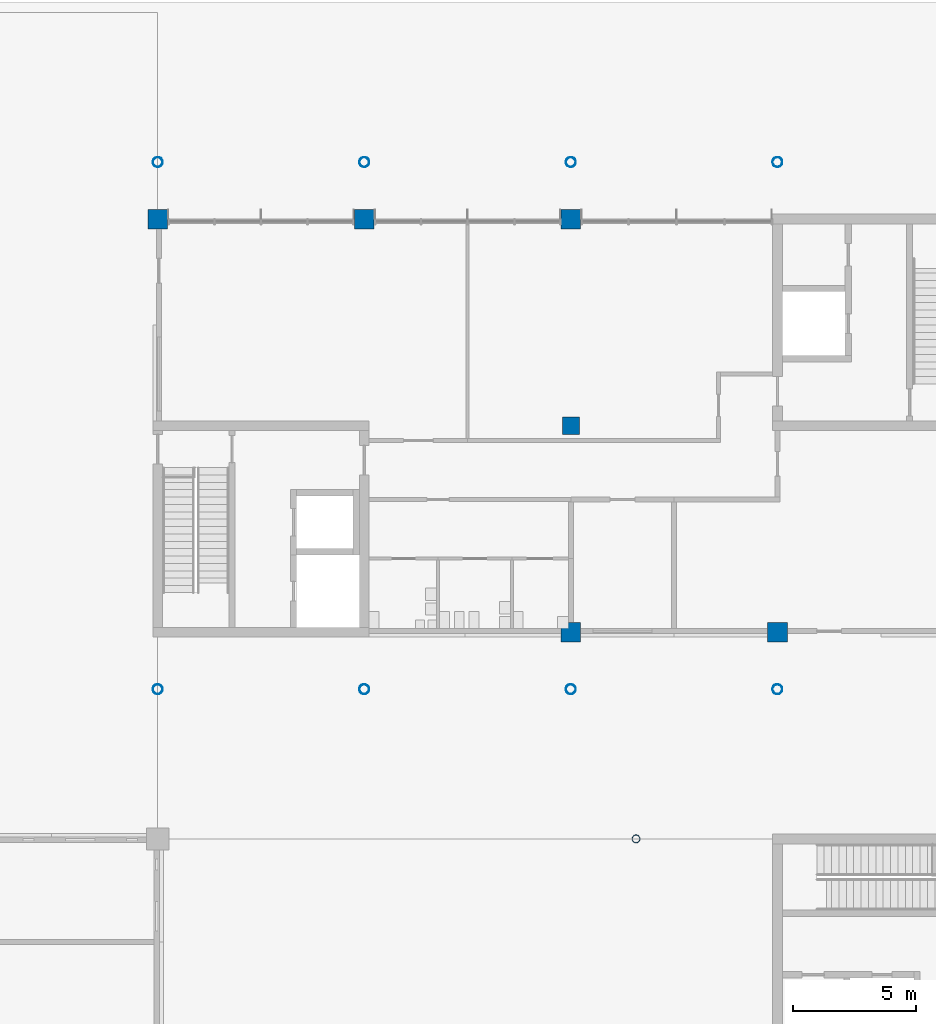
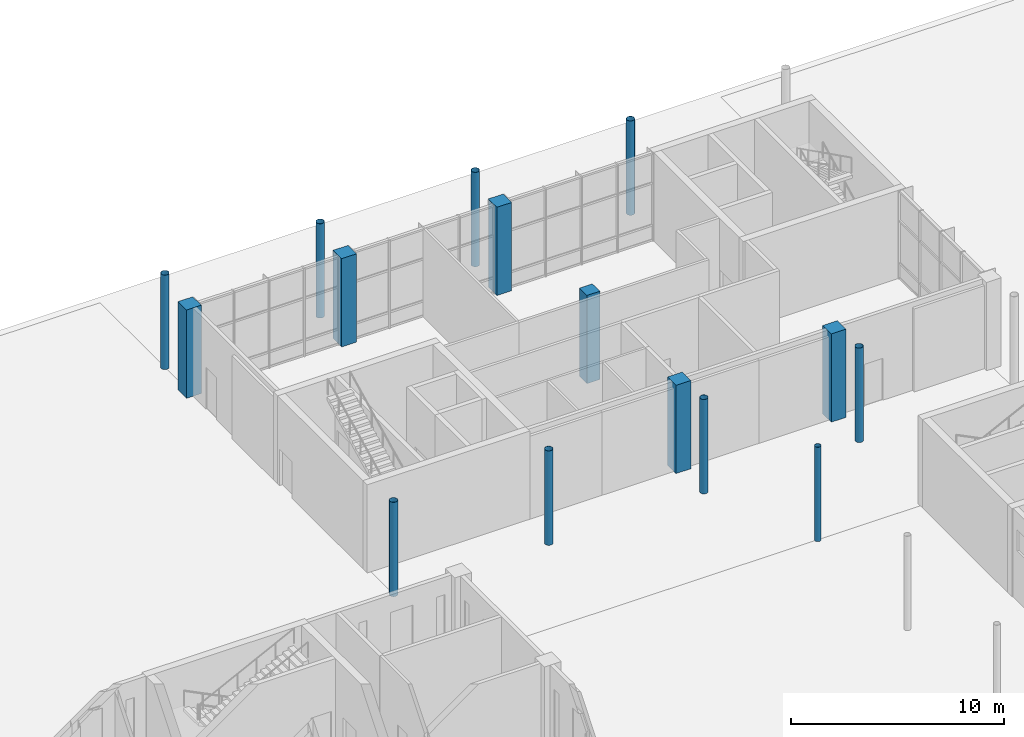
# One storey, part 9 of 76: 15 columns.
"""IFC4 building model written with IfcOpenShell, lengths in metres."""

from ifc_helpers import new_model, si_unit, direction, frame, origin, origin_2d, place, context, subcontext, project, spatial, rectangle, hollow_circle, extrude, material, material_profile, profile_set, type_object, element, save


model = new_model("IFC4")

# Units and contexts
model_context = context("Model", 3, precision=1e-05, world=origin(), true_north=direction((0.0, 1.0)))
body_context = subcontext(model_context, "Body", "Model", "MODEL_VIEW")
ifc_project = project(units=[si_unit("LENGTHUNIT", "METRE"), si_unit("AREAUNIT", "SQUARE_METRE"), si_unit("VOLUMEUNIT", "CUBIC_METRE"), si_unit("PLANEANGLEUNIT", "RADIAN"), si_unit("MASSUNIT", "GRAM", prefix="KILO")], contexts=[model_context])

# Site, building, storey
site_placement = place(None, origin())
site = spatial("IfcSite", under=ifc_project, at=site_placement, CompositionType="ELEMENT")
building_placement = place(site_placement, origin())
building = spatial("IfcBuilding", under=site, at=building_placement, Name="Hlaing Beacon Police Headquarters", CompositionType="ELEMENT")
storey_placement = place(building_placement, origin())
storey = spatial("IfcBuildingStorey", under=building, at=storey_placement, Name="L00", CompositionType="ELEMENT", Elevation=0.0)

# Columns
ifc_material_1 = material(Name="Steel ASTM A500 Grade C", Category="steel")
ifc_material_profile_1 = material_profile(ifc_material_1, hollow_circle(Radius=0.203125, WallThickness=0.0126953125, at=origin_2d()), Name="HSS16.000x0.500")
ifc_profile_set_1 = profile_set([ifc_material_profile_1], Name="Steel ASTM A500 Grade C")
column_type_1 = type_object("IfcColumnType", Name="Eave edge post HSS16.000x0.500", PredefinedType="COLUMN", material=ifc_profile_set_1)
for number, where, z_axis, x_axis, name in (
    (1, (33.60009765625, 94.71728515625, 0.0), (0.0, 0.0, 1.0), (1.0, 0.0, 0.0), "STR-RT-V2-EEP-N0336-L00"),
    (2, (42.0, 94.71728515625, 0.0), (0.0, 0.0, 1.0), (1.0, 0.0, 0.0), "STR-RT-V2-EEP-N0420-L00"),
    (3, (50.39990234375, 94.71728515625, 0.0), (0.0, 0.0, 1.0), (1.0, 0.0, 0.0), "STR-RT-V2-EEP-N0504-L00"),
    (4, (58.800048828125, 94.71728515625, 0.0), (0.0, 0.0, 1.0), (1.0, 0.0, 0.0), "STR-RT-V2-EEP-N0588-L00"),
    (5, (33.60009765625, 73.28271484375, 0.0), (0.0, 0.0, 1.0), (1.0, 0.0, 0.0), "STR-RT-V2-EEP-S0336-L00"),
    (6, (42.0, 73.28271484375, 0.0), (0.0, 0.0, 1.0), (1.0, 0.0, 0.0), "STR-RT-V2-EEP-S0420-L00"),
    (7, (50.39990234375, 73.28271484375, 0.0), (0.0, 0.0, 1.0), (1.0, 0.0, 0.0), "STR-RT-V2-EEP-S0504-L00"),
    (8, (58.800048828125, 73.28271484375, 0.0), (0.0, 0.0, 1.0), (1.0, 0.0, 0.0), "STR-RT-V2-EEP-S0588-L00"),
):
    element("IfcColumn", number, at=place(storey_placement, frame(where, z_axis=z_axis, x_axis=x_axis)), inside=storey, type_object=column_type_1, Name=name, PredefinedType="COLUMN", context=body_context, shape_type="SweptSolid", body=[
        extrude(hollow_circle(Radius=0.203125, WallThickness=0.0126953125, at=origin_2d()), origin(), (0.0, 0.0, 1.0), 5.39990234375),
    ])
ifc_material_2 = material(Name="Steel ASTM A500 Grade C", Category="steel")
ifc_material_profile_2 = material_profile(ifc_material_2, hollow_circle(Radius=0.161865234375, WallThickness=0.0126953125, at=origin_2d()), Name="HSS12.750x0.500")
ifc_profile_set_2 = profile_set([ifc_material_profile_2], Name="Steel ASTM A500 Grade C")
column_type_2 = type_object("IfcColumnType", Name="Eave post HSS12.750x0.500", PredefinedType="COLUMN", material=ifc_profile_set_2)
column_1_placement = place(storey_placement, frame((53.050048828125, 67.199951171875, 0.0), z_axis=(0.0, 0.0, 1.0), x_axis=(1.0, 0.0, 0.0)))
element("IfcColumn", 9, at=column_1_placement, inside=storey, type_object=column_type_2, Name="STR-RT-V1-EP5-L00", PredefinedType="COLUMN", context=body_context, shape_type="SweptSolid", body=[
    extrude(hollow_circle(Radius=0.161865234375, WallThickness=0.0126953125, at=origin_2d()), origin(), (0.0, 0.0, 1.0), 5.39990234375),
])
ifc_material_3 = material(Name="Concrete C50/60", Category="concrete")
ifc_material_profile_3 = material_profile(ifc_material_3, rectangle(XDim=0.699951171875, YDim=0.699951171875, at=origin_2d()), Name="700x700")
ifc_profile_set_3 = profile_set([ifc_material_profile_3], Name="Concrete C50/60")
column_type_3 = type_object("IfcColumnType", Name="RC column 700x700 C50/60", PredefinedType="COLUMN", material=ifc_profile_set_3)
column_2_placement = place(storey_placement, frame((50.39990234375, 84.0, 0.0), z_axis=(0.0, 0.0, 1.0), x_axis=(1.0, 0.0, 0.0)))
element("IfcColumn", 10, at=column_2_placement, inside=storey, type_object=column_type_3, Name="STR-COL-L00-G11", PredefinedType="COLUMN", context=body_context, shape_type="SweptSolid", body=[
    extrude(rectangle(XDim=0.699951171875, YDim=0.699951171875, at=origin_2d()), origin(), (0.0, 0.0, 1.0), 5.050048828125),
])
ifc_material_4 = material(Name="Concrete C50/60", Category="concrete")
ifc_material_profile_4 = material_profile(ifc_material_4, rectangle(XDim=0.800048828125, YDim=0.800048828125, at=origin_2d()), Name="800x800")
ifc_profile_set_4 = profile_set([ifc_material_profile_4], Name="Concrete C50/60")
column_type_4 = type_object("IfcColumnType", Name="RC column 800x800 C50/60", PredefinedType="COLUMN", material=ifc_profile_set_4)
for number, where, z_axis, x_axis, name in (
    (11, (33.60009765625, 92.39990234375, 0.0), (0.0, 0.0, 1.0), (1.0, 0.0, 0.0), "STR-COL-L00-E12"),
    (12, (42.0, 92.39990234375, 0.0), (0.0, 0.0, 1.0), (1.0, 0.0, 0.0), "STR-COL-L00-F12"),
    (13, (50.39990234375, 75.60009765625, 0.0), (0.0, 0.0, 1.0), (1.0, 0.0, 0.0), "STR-COL-L00-G10"),
    (14, (50.39990234375, 92.39990234375, 0.0), (0.0, 0.0, 1.0), (1.0, 0.0, 0.0), "STR-COL-L00-G12"),
    (15, (58.800048828125, 75.60009765625, 0.0), (0.0, 0.0, 1.0), (1.0, 0.0, 0.0), "STR-COL-L00-H10"),
):
    element("IfcColumn", number, at=place(storey_placement, frame(where, z_axis=z_axis, x_axis=x_axis)), inside=storey, type_object=column_type_4, Name=name, PredefinedType="COLUMN", context=body_context, shape_type="SweptSolid", body=[
        extrude(rectangle(XDim=0.800048828125, YDim=0.800048828125, at=origin_2d()), origin(), (0.0, 0.0, 1.0), 5.050048828125),
    ])

save(model, "model.ifc")
